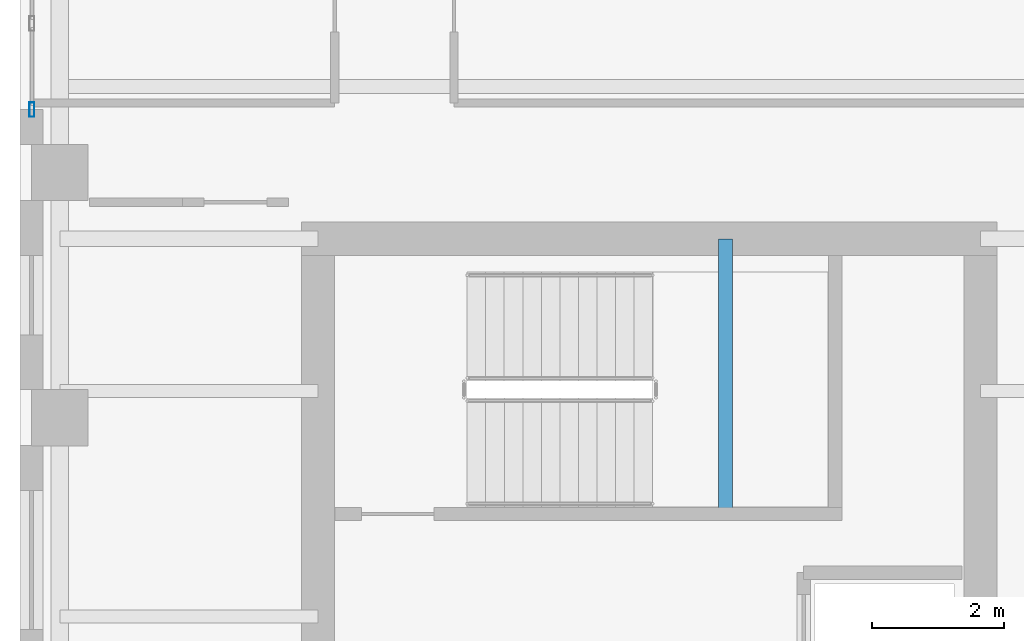
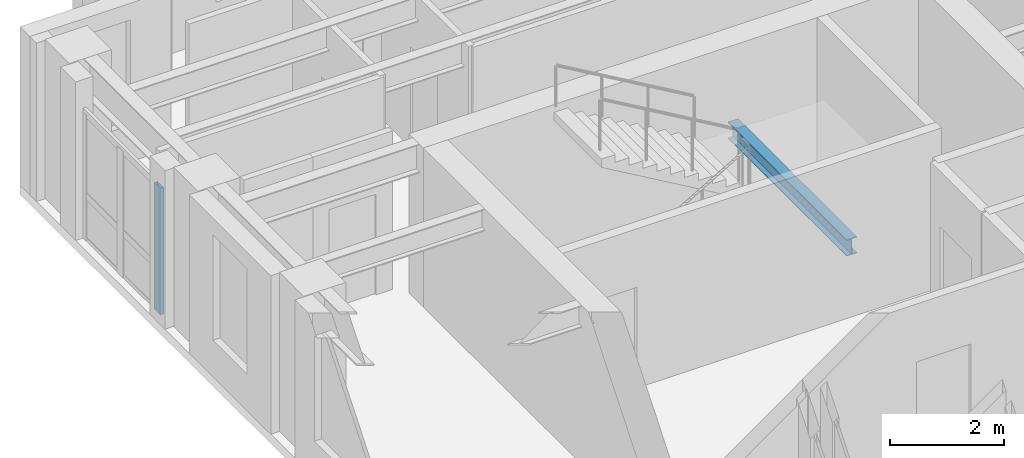
# One storey, part 2 of 14: 1 beam, 1 member, 1 element without a shape of its own.
"""IFC4 building model written with IfcOpenShell, lengths in metres."""

from ifc_helpers import new_model, si_unit, direction, frame, origin, origin_2d, place, context, subcontext, project, spatial, hollow_rectangle, i_section, extrude, source, transform, mapped, material, layer, layer_set, material_profile, profile_set, type_object, element, aggregate, save


model = new_model("IFC4")

# Units and contexts
model_context = context("Model", 3, precision=1e-05, world=origin(), true_north=direction((0.0, 1.0)))
body_context = subcontext(model_context, "Body", "Model", "MODEL_VIEW")
ifc_project = project(units=[si_unit("LENGTHUNIT", "METRE"), si_unit("AREAUNIT", "SQUARE_METRE"), si_unit("VOLUMEUNIT", "CUBIC_METRE"), si_unit("PLANEANGLEUNIT", "RADIAN"), si_unit("MASSUNIT", "GRAM", prefix="KILO")], contexts=[model_context])

# Site, building, storey
site_placement = place(None, origin())
site = spatial("IfcSite", under=ifc_project, at=site_placement, CompositionType="ELEMENT")
building_placement = place(site_placement, origin())
building = spatial("IfcBuilding", under=site, at=building_placement, Name="Kharzan Plaza Tower", CompositionType="ELEMENT")
storey_placement = place(building_placement, frame((0.0, 0.0, 241.199951171875)))
storey = spatial("IfcBuildingStorey", under=building, at=storey_placement, Name="L65", CompositionType="ELEMENT", Elevation=241.199951171875)

# Beam
ifc_material_1 = material(Name="Steel S355", Category="steel")
ifc_material_profile_1 = material_profile(ifc_material_1, i_section(OverallWidth=0.205078125, OverallDepth=0.35400390625, WebThickness=0.009521484375, FlangeThickness=0.016845703125, at=origin_2d()), Name="W360x79")
ifc_profile_set_1 = profile_set([ifc_material_profile_1], Name="Steel S355")
beam_type = type_object("IfcBeamType", Name="BM-LNT360", PredefinedType="LINTEL", material=ifc_profile_set_1)
shared_shape_1 = source(origin(), body_context, "Body", "SweptSolid", [
    extrude(i_section(OverallWidth=0.205078125, OverallDepth=0.35400390625, WebThickness=0.009521484375, FlangeThickness=0.016845703125, at=origin_2d()), origin(), (0.0, 0.0, 1.0), 4.155029296875),
])
beam_placement = place(storey_placement, frame((10.64990234375, 25.344970703125, 1.423095703125), z_axis=(0.0, 1.0, 0.0), x_axis=(-1.0, 0.0, 0.0)))
element("IfcBeam", 1, at=beam_placement, inside=storey, type_object=beam_type, Name="L65 Stair ST-2 Half-Landing Beam", PredefinedType="LINTEL", context=body_context, shape_type="MappedRepresentation", body=[
    mapped(shared_shape_1, transform((0.0, 0.0, 0.0), x_axis=(1.0, 0.0, 0.0), y_axis=(0.0, 1.0, 0.0), z_axis=(0.0, 0.0, 1.0))),
])

# Curtain wall, member
ifc_material_2 = material(Name="Unitised Bronze-Anodized Aluminium and Low-E Glass", Category="aluminium")
ifc_layer = layer(ifc_material_2, 0.199951171875)
ifc_layer_set = layer_set([ifc_layer], Name="Unitised Bronze-Anodized Aluminium and Low-E Glass")
curtain_wall_type = type_object("IfcCurtainWallType", Name="CW-EXEC-5", PredefinedType="NOTDEFINED", material=ifc_layer_set)
curtain_wall_placement = place(storey_placement, origin())
curtain_wall = element("IfcCurtainWall", 2, at=curtain_wall_placement, inside=storey, type_object=curtain_wall_type, Name="L65 Upper Executive Setback Panoramic Curtain Wall", PredefinedType="NOTDEFINED")
ifc_material_3 = material(Name="Anodized Bronze Aluminium", Category="aluminium")
ifc_material_profile_2 = material_profile(ifc_material_3, hollow_rectangle(XDim=0.074951171875, YDim=0.219970703125, WallThickness=0.00390625, at=origin_2d()), Name="ALU-M220x75x4")
ifc_profile_set_2 = profile_set([ifc_material_profile_2], Name="Anodized Bronze Aluminium")
member_type = type_object("IfcMemberType", Name="MEM-CW-MUL200", PredefinedType="MULLION", material=ifc_profile_set_2)
shared_shape_2 = source(origin(), body_context, "Body", "SweptSolid", [
    extrude(hollow_rectangle(XDim=0.074951171875, YDim=0.219970703125, WallThickness=0.00390625, at=origin_2d()), origin(), (0.0, 0.0, 1.0), 2.699951171875),
])
member_placement = place(storey_placement, frame((0.179931640625, 31.449951171875, 0.0), z_axis=(0.0, 0.0, 1.0), x_axis=(1.0, 0.0, 0.0)))
member = element("IfcMember", 3, at=member_placement, type_object=member_type, Name="L65 Curtain-Wall Mullion 00", PredefinedType="MULLION", context=body_context, shape_type="MappedRepresentation", body=[
    mapped(shared_shape_2, transform((0.0, 0.0, 0.0), x_axis=(1.0, 0.0, 0.0), y_axis=(0.0, 1.0, 0.0), z_axis=(0.0, 0.0, 1.0))),
])
aggregate(curtain_wall, [member])

save(model, "model.ifc")
